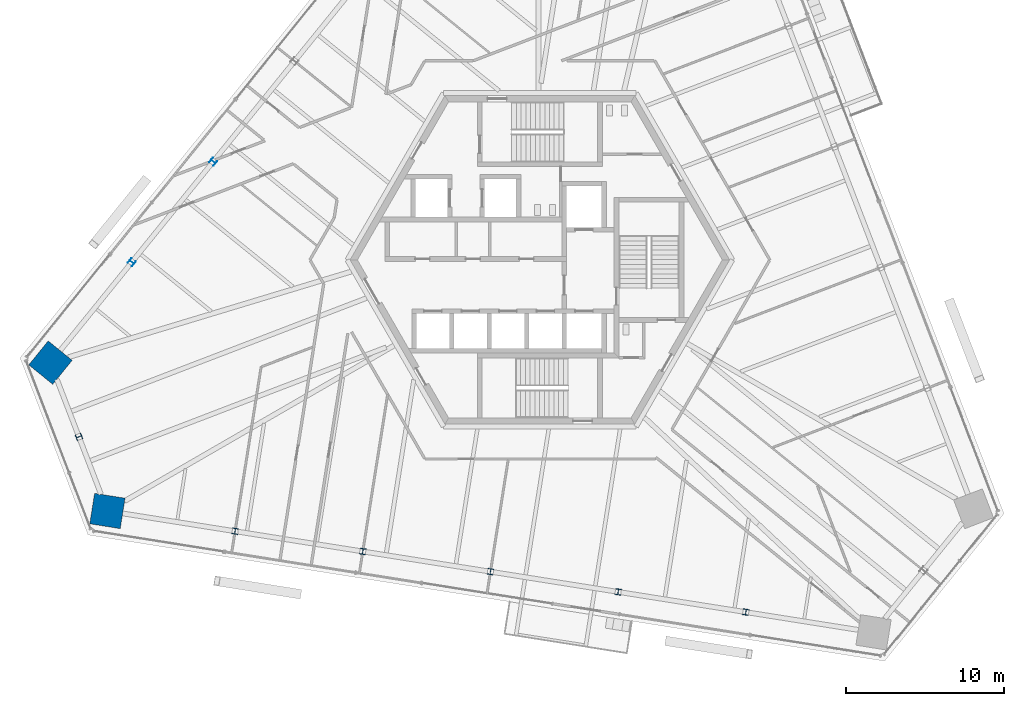
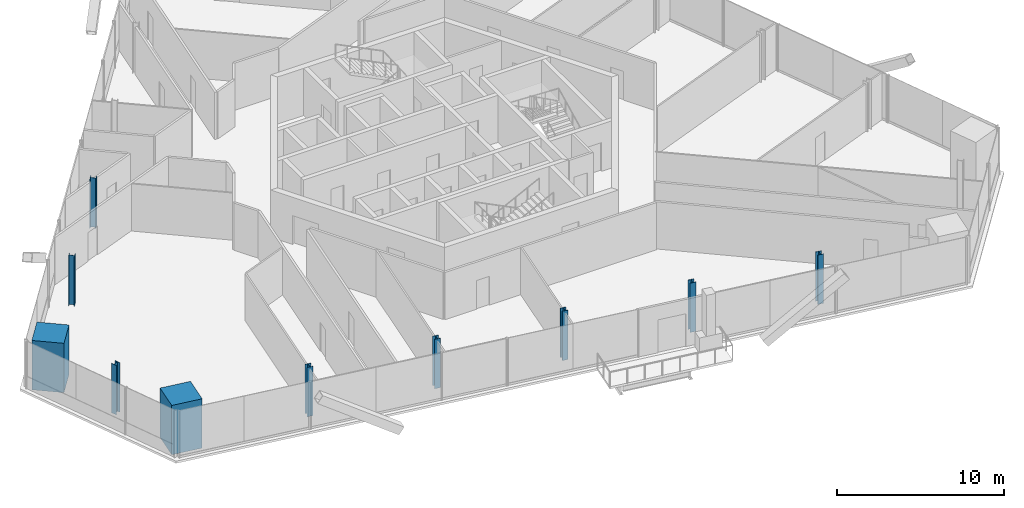
# One storey, part 1 of 19: 10 columns.
"""IFC4 building model written with IfcOpenShell, lengths in metres."""

from ifc_helpers import new_model, si_unit, direction, frame, origin, origin_2d, place, context, subcontext, project, spatial, rectangle, i_section, extrude, source, transform, mapped, material, material_profile, profile_set, type_object, element, save


model = new_model("IFC4")

# Units and contexts
model_context = context("Model", 3, precision=1e-05, world=origin(), true_north=direction((0.0, 1.0)))
body_context = subcontext(model_context, "Body", "Model", "MODEL_VIEW")
ifc_project = project(units=[si_unit("LENGTHUNIT", "METRE"), si_unit("AREAUNIT", "SQUARE_METRE"), si_unit("VOLUMEUNIT", "CUBIC_METRE"), si_unit("PLANEANGLEUNIT", "RADIAN"), si_unit("MASSUNIT", "GRAM", prefix="KILO")], contexts=[model_context])

# Site, building, storey
site_placement = place(None, origin())
site = spatial("IfcSite", under=ifc_project, at=site_placement, CompositionType="ELEMENT")
building_placement = place(site_placement, origin())
building = spatial("IfcBuilding", under=site, at=building_placement, Name="Triune Harvest Tower", CompositionType="ELEMENT")
storey_placement = place(building_placement, frame((0.0, 0.0, 164.10009765625)))
storey = spatial("IfcBuildingStorey", under=building, at=storey_placement, Name="L42", CompositionType="ELEMENT", Elevation=164.10009765625)

# Columns
ifc_material_1 = material(Name="Concrete 70 MPa", Category="concrete")
ifc_material_profile_1 = material_profile(ifc_material_1, rectangle(XDim=1.949951171875, YDim=1.949951171875, at=origin_2d()), Name="Composite 1950x1950")
ifc_profile_set_1 = profile_set([ifc_material_profile_1], Name="Concrete 70 MPa")
column_type_1 = type_object("IfcColumnType", Name="MC-4 Mega column Composite 1950x1950", PredefinedType="COLUMN", material=ifc_profile_set_1)
shared_shape_1 = source(origin(), body_context, "Body", "SweptSolid", [
    extrude(rectangle(XDim=1.949951171875, YDim=1.949951171875, at=origin_2d()), origin(), (0.0, 0.0, 1.0), 3.599853515625),
])
for number, where, z_axis, x_axis, name in (
    (1, (-30.947509765625, -6.4970703125, 0.0), (0.0, 0.0, 1.0), (-0.629321747424, -0.777144863084, 0.0), "col/L42/M14"),
    (2, (-27.345703125, -15.879638671875, 0.0), (0.0, 0.0, 1.0), (0.987688340595, -0.15643446504, 0.0), "col/L42/M16"),
):
    element("IfcColumn", number, at=place(storey_placement, frame(where, z_axis=z_axis, x_axis=x_axis)), inside=storey, type_object=column_type_1, Name=name, PredefinedType="COLUMN", context=body_context, shape_type="MappedRepresentation", body=[
        mapped(shared_shape_1, transform((0.0, 0.0, 0.0), scale=1.0)),
    ])
ifc_material_2 = material(Name="Steel ASTM A992 Gr 50", Category="steel")
ifc_material_profile_2 = material_profile(ifc_material_2, i_section(OverallWidth=0.373291015625, OverallDepth=0.373291015625, WebThickness=0.016357421875, FlangeThickness=0.026123046875, at=origin_2d()), Name="W14x132")
ifc_profile_set_2 = profile_set([ifc_material_profile_2], Name="Steel ASTM A992 Gr 50")
column_type_2 = type_object("IfcColumnType", Name="PC-4 Perimeter column W14x132", PredefinedType="COLUMN", material=ifc_profile_set_2)
shared_shape_2 = source(origin(), body_context, "Body", "SweptSolid", [
    extrude(i_section(OverallWidth=0.373291015625, OverallDepth=0.373291015625, WebThickness=0.016357421875, FlangeThickness=0.026123046875, at=origin_2d()), origin(), (0.0, 0.0, 1.0), 3.599853515625),
])
for number, where, z_axis, x_axis, name in (
    (3, (-20.657958984375, 6.209228515625, 0.0), (0.0, 0.0, 1.0), (-0.629321747424, -0.777144863084, 0.0), "col/L42/P12"),
    (4, (-25.802734375, -0.143798828125, 0.0), (0.0, 0.0, 1.0), (-0.629321747424, -0.777144863084, 0.0), "col/L42/P13"),
    (5, (-29.146484375, -11.188232421875, 0.0), (0.0, 0.0, 1.0), (0.35836632014, -0.933581051966, 0.0), "col/L42/P15"),
    (6, (-19.271484375, -17.158447265625, 0.0), (0.0, 0.0, 1.0), (0.987688340595, -0.15643446504, 0.0), "col/L42/P17"),
    (7, (-11.197021484375, -18.437255859375, 0.0), (0.0, 0.0, 1.0), (0.987688340595, -0.15643446504, 0.0), "col/L42/P18"),
    (8, (-3.122802734375, -19.716064453125, 0.0), (0.0, 0.0, 1.0), (0.987688340595, -0.15643446504, 0.0), "col/L42/P19"),
    (9, (4.95166015625, -20.9951171875, 0.0), (0.0, 0.0, 1.0), (0.987688340595, -0.15643446504, 0.0), "col/L42/P20"),
    (10, (13.02587890625, -22.27392578125, 0.0), (0.0, 0.0, 1.0), (0.987688340595, -0.15643446504, 0.0), "col/L42/P21"),
):
    element("IfcColumn", number, at=place(storey_placement, frame(where, z_axis=z_axis, x_axis=x_axis)), inside=storey, type_object=column_type_2, Name=name, PredefinedType="COLUMN", context=body_context, shape_type="MappedRepresentation", body=[
        mapped(shared_shape_2, transform((0.0, 0.0, 0.0), scale=1.0)),
    ])

save(model, "model.ifc")
